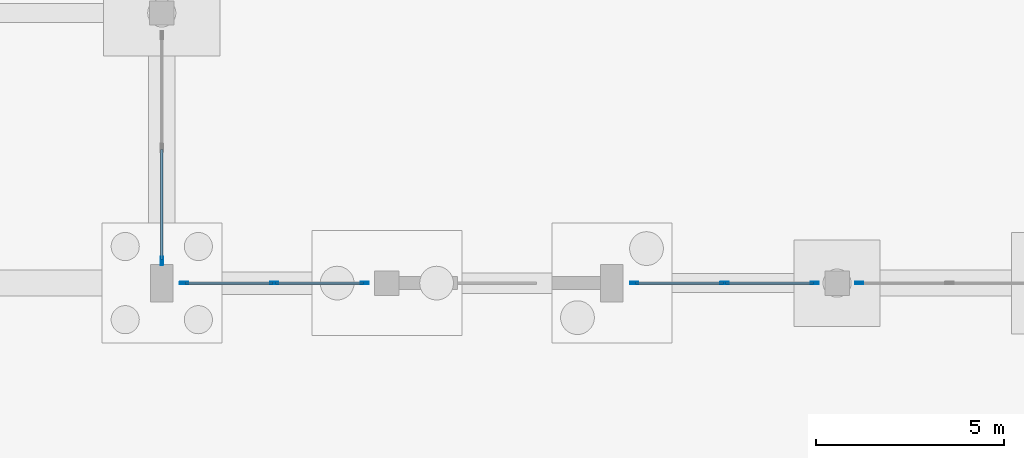
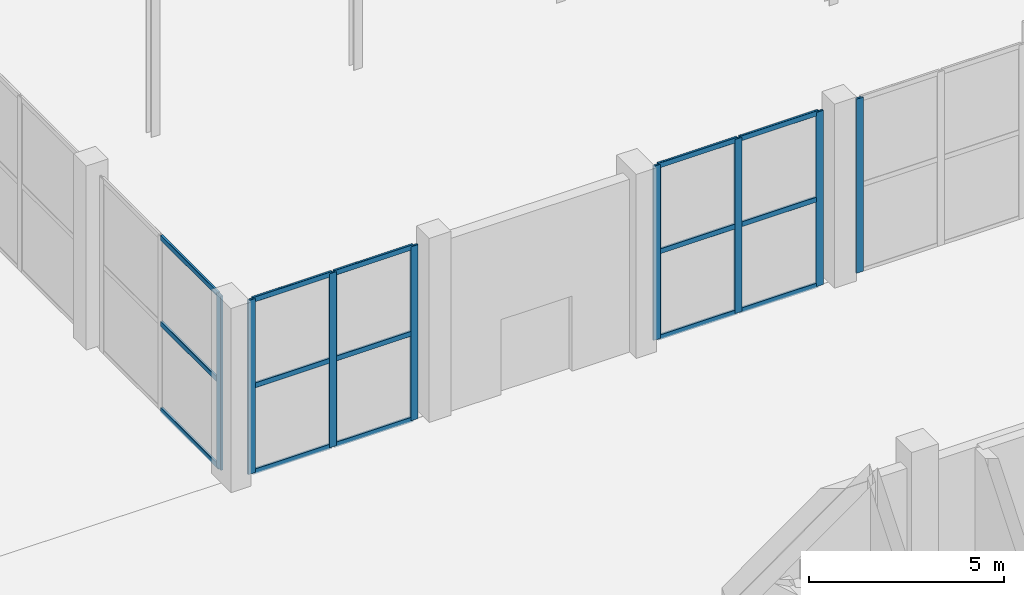
# One storey, part 49 of 103: 23 members, 4 elements without a shape of their own.
"""IFC4 building model written with IfcOpenShell, lengths in metres."""

import ifcopenshell
import ifcopenshell.guid

model = None  # the IFC model being written
_history = None  # IfcOwnerHistory: only IFC2X3 demands one
_inside = {}  # id of a spatial element -> (the spatial element, [elements in it])
_under = {}  # id of a project, library or spatial element -> (it, [spatial elements below it])
_declared = {}  # id of a project -> (the project, [libraries it declares])
_typed = {}  # id of a type object -> (the type object, [elements of that type])
_made_of = {}  # id of a material, layer set ... -> (it, [elements and type objects made of it])


def new_model(schema):
    """Start an empty IFC model of exactly this schema.

    Asked for "IFC4X3", IfcOpenShell would pick the latest addendum, in which some entities
    have other attributes; the version numbers below select the first issue.
    IFC2X3 requires an IfcOwnerHistory on every rooted entity: one is made here for all.
    """
    global model, _history
    if schema == "IFC4X3":
        model = ifcopenshell.file(schema_version=(4, 3, 0, 0))
    else:
        model = ifcopenshell.file(schema=schema)
    _inside.clear()
    _under.clear()
    _declared.clear()
    _typed.clear()
    _made_of.clear()
    _history = None
    if model.schema == "IFC2X3":
        org = make("IfcOrganization", Name="unknown")
        user = make(
            "IfcPersonAndOrganization",
            ThePerson=make("IfcPerson", FamilyName="unknown"),
            TheOrganization=org,
        )
        app = make(
            "IfcApplication",
            ApplicationDeveloper=org,
            Version="unknown",
            ApplicationFullName="unknown",
            ApplicationIdentifier="unknown",
        )
        _history = make(
            "IfcOwnerHistory",
            OwningUser=user,
            OwningApplication=app,
            ChangeAction="ADDED",
            CreationDate=0,
        )
    return model


def make(cls, **values):
    """One entity of the class cls with the attributes given. An attribute that is None is left unset."""
    return model.create_entity(
        cls, **{name: value for name, value in values.items() if value is not None}
    )


def rooted(cls, **values):
    """An entity with a GlobalId (a new one), such as an element, a storey or a relation."""
    return make(cls, GlobalId=ifcopenshell.guid.new(), OwnerHistory=_history, **values)


def si_unit(unit_type, name, prefix=None):
    """IfcSIUnit, for example si_unit("LENGTHUNIT", "METRE", prefix="MILLI")."""
    return make("IfcSIUnit", UnitType=unit_type, Prefix=prefix, Name=name)


def assignment(units):
    """IfcUnitAssignment: the units of a project."""
    return None if units is None else make("IfcUnitAssignment", Units=units)


def point(xyz):
    """IfcCartesianPoint."""
    return None if xyz is None else make("IfcCartesianPoint", Coordinates=xyz)


def direction(xyz):
    """IfcDirection."""
    return None if xyz is None else make("IfcDirection", DirectionRatios=xyz)


def frame(location, z_axis=None, x_axis=None):
    """IfcAxis2Placement3D, a coordinate frame: its origin and axes. An axis left out is left unset."""
    return make(
        "IfcAxis2Placement3D",
        Location=point(location),
        Axis=direction(z_axis),
        RefDirection=direction(x_axis),
    )


def frame_2d(location, x_axis=None):
    """IfcAxis2Placement2D, a coordinate frame in the plane: its origin and x axis."""
    return make(
        "IfcAxis2Placement2D", Location=point(location), RefDirection=direction(x_axis)
    )


def origin():
    """The frame at (0, 0, 0) with its axes left unset."""
    return frame((0.0, 0.0, 0.0))


def origin_2d():
    """The frame at (0, 0) in the plane with its x axis left unset."""
    return frame_2d((0.0, 0.0))


def place(relative_to, where):
    """IfcLocalPlacement: puts the frame where relative to a parent placement (None: the world)."""
    return make(
        "IfcLocalPlacement", PlacementRelTo=relative_to, RelativePlacement=where
    )


def context(
    kind, dimensions, precision=None, world=None, true_north=None, identifier=None
):
    """IfcGeometricRepresentationContext, for example the 3D "Model" context."""
    return make(
        "IfcGeometricRepresentationContext",
        ContextIdentifier=identifier,
        ContextType=kind,
        CoordinateSpaceDimension=dimensions,
        Precision=precision,
        WorldCoordinateSystem=world,
        TrueNorth=true_north,
    )


def subcontext(parent, identifier, kind, view, scale=None):
    """IfcGeometricRepresentationSubContext, for example "Body" below "Model"."""
    return make(
        "IfcGeometricRepresentationSubContext",
        ContextIdentifier=identifier,
        ContextType=kind,
        ParentContext=parent,
        TargetScale=scale,
        TargetView=view,
    )


def project(units=None, contexts=None):
    """IfcProject with its units and contexts."""
    return rooted(
        "IfcProject",
        Name="project",
        RepresentationContexts=contexts,
        UnitsInContext=assignment(units),
    )


def spatial(cls, under=None, at=None, **own):
    """A site, building, storey or space (cls), placed at a placement, below another one or the project."""
    s = rooted(cls, ObjectPlacement=at, **own)
    if under is not None:
        _under.setdefault(under.id(), (under, []))[1].append(s)
    return s


def profile(cls, at=None, kind="AREA", **sizes):
    """A parametric profile (cls). Its sizes go by their IFC names, for example OverallWidth=200.0."""
    return make(cls, ProfileType=kind, Position=at, **sizes)


def hollow_rectangle(**sizes):
    """IfcRectangleHollowProfileDef."""
    return profile("IfcRectangleHollowProfileDef", **sizes)


def extrude(swept, where, along, depth):
    """IfcExtrudedAreaSolid: the profile swept, set in the frame where, extruded along a direction by depth."""
    return make(
        "IfcExtrudedAreaSolid",
        SweptArea=swept,
        Position=where,
        ExtrudedDirection=direction(along),
        Depth=depth,
    )


def shape(context_of_items, identifier, shape_type, items):
    """IfcShapeRepresentation: the items that make up one representation, for example the "Body"."""
    return make(
        "IfcShapeRepresentation",
        ContextOfItems=context_of_items,
        RepresentationIdentifier=identifier,
        RepresentationType=shape_type,
        Items=items,
    )


def material(Name=None, Category=None):
    """IfcMaterial."""
    return make("IfcMaterial", Name=Name, Category=Category)


def layer(
    of_material, thickness, ventilated=None, Name=None, Category=None, Priority=None
):
    """IfcMaterialLayer: one layer of a wall or slab, of a material (None: an air gap)."""
    return make(
        "IfcMaterialLayer",
        Material=of_material,
        LayerThickness=thickness,
        IsVentilated=ventilated,
        Name=Name,
        Category=Category,
        Priority=Priority,
    )


def layer_set(layers, Name=None):
    """IfcMaterialLayerSet."""
    return make("IfcMaterialLayerSet", MaterialLayers=layers, LayerSetName=Name)


def material_profile(
    of_material, cross_section, Name=None, Category=None, Priority=None
):
    """IfcMaterialProfile: a cross section and its material."""
    return make(
        "IfcMaterialProfile",
        Name=Name,
        Material=of_material,
        Profile=cross_section,
        Priority=Priority,
        Category=Category,
    )


def profile_set(profiles, Name=None, composite=None):
    """IfcMaterialProfileSet."""
    return make(
        "IfcMaterialProfileSet",
        Name=Name,
        MaterialProfiles=profiles,
        CompositeProfile=composite,
    )


def made_of(thing, what):
    """Note that an element or type object is made of a material, layer set ...; save() writes the relation."""
    if what is not None:
        _made_of.setdefault(what.id(), (what, []))[1].append(thing)
    return thing


def type_object(cls, material=None, **own):
    """A type object (cls), such as IfcWallType, which elements share."""
    return made_of(rooted(cls, **own), material)


def element(
    cls,
    number,
    at=None,
    inside=None,
    cuts=None,
    type_object=None,
    material=None,
    context=None,
    identifier="Body",
    shape_type=None,
    held_by="IfcProductDefinitionShape",
    body=None,
    shapes=None,
    **own,
):
    """One element of the class cls, such as IfcWall. Its Tag is "e" and its number.

    at: its placement. inside: the storey or other place that contains it. cuts: it is an
    opening in that element (IfcRelVoidsElement). A single representation is given by context,
    identifier, shape_type and body (its items); several are given by shapes. held_by: the class
    of the entity that holds the representations. save() writes the other relations.
    """
    e = rooted(cls, Tag="e%d" % number, ObjectPlacement=at, **own)
    if body is not None:
        shapes = [shape(context, identifier, shape_type, body)]
    if shapes is not None:
        e.Representation = make(held_by, Representations=shapes)
    if inside is not None:
        _inside.setdefault(inside.id(), (inside, []))[1].append(e)
    if cuts is not None:
        rooted(
            "IfcRelVoidsElement", RelatingBuildingElement=cuts, RelatedOpeningElement=e
        )
    if type_object is not None:
        _typed.setdefault(type_object.id(), (type_object, []))[1].append(e)
    return made_of(e, material)


def aggregate(whole, parts):
    """IfcRelAggregates: a whole, such as a stair, and the parts it consists of."""
    return rooted("IfcRelAggregates", RelatingObject=whole, RelatedObjects=parts)


def save(model, path):
    """Write the relations noted so far, then the file.

    IfcRelAggregates (storeys below a building ...), IfcRelContainedInSpatialStructure (elements
    in a storey), IfcRelDefinesByType, IfcRelAssociatesMaterial and IfcRelDeclares: one each for
    every whole, place, type object, material and project.
    """
    for whole, parts in _under.values():
        aggregate(whole, parts)
    for where, things in _inside.values():
        rooted(
            "IfcRelContainedInSpatialStructure",
            RelatedElements=things,
            RelatingStructure=where,
        )
    for kind, things in _typed.values():
        rooted("IfcRelDefinesByType", RelatedObjects=things, RelatingType=kind)
    for what, things in _made_of.values():
        rooted("IfcRelAssociatesMaterial", RelatedObjects=things, RelatingMaterial=what)
    for by, libraries in _declared.values():
        rooted("IfcRelDeclares", RelatingContext=by, RelatedDefinitions=libraries)
    model.write(path)


model = new_model("IFC4")

# Units and contexts
model_context = context("Model", 3, precision=1e-05, world=origin(), true_north=direction((0.0, 1.0)))
body_context = subcontext(model_context, "Body", "Model", "MODEL_VIEW")
ifc_project = project(units=[si_unit("LENGTHUNIT", "METRE"), si_unit("AREAUNIT", "SQUARE_METRE"), si_unit("VOLUMEUNIT", "CUBIC_METRE"), si_unit("PLANEANGLEUNIT", "RADIAN"), si_unit("MASSUNIT", "GRAM", prefix="KILO")], contexts=[model_context])

# Site, building, storey
site_placement = place(None, origin())
site = spatial("IfcSite", under=ifc_project, at=site_placement, CompositionType="ELEMENT")
building_placement = place(site_placement, origin())
building = spatial("IfcBuilding", under=site, at=building_placement, Name="Dunvalen Ferry Terminal", CompositionType="ELEMENT")
storey_placement = place(building_placement, origin())
storey = spatial("IfcBuildingStorey", under=building, at=storey_placement, Name="L00", CompositionType="ELEMENT", Elevation=0.0)

# Curtain wall, members
ifc_material_1 = material(Name="Anodised marine aluminium and solar-control glazing", Category="aluminium")
ifc_layer_1 = layer(ifc_material_1, 0.219970703125, Name="Anodised marine aluminium and solar-control glazing")
ifc_layer_set_1 = layer_set([ifc_layer_1], Name="Anodised marine aluminium and solar-control glazing")
curtain_wall_type_1 = type_object("IfcCurtainWallType", Name="ENV-CW-SYS-01", PredefinedType="NOTDEFINED", material=ifc_layer_set_1)
curtain_wall_1_placement = place(storey_placement, origin())
curtain_wall_1 = element("IfcCurtainWall", 1, at=curtain_wall_1_placement, inside=storey, type_object=curtain_wall_type_1, Name="L00 Curtain Wall CW-V2S-L00-01", PredefinedType="NOTDEFINED")
ifc_material_2 = material(Name="Anodised marine aluminium EN AW-6063 T6", Category="aluminium")
ifc_material_profile_1 = material_profile(ifc_material_2, hollow_rectangle(XDim=0.06494140625, YDim=0.219970703125, WallThickness=0.00390625, InnerFilletRadius=0.00390625, OuterFilletRadius=0.008056640625, at=origin_2d()), Name="Anodised marine aluminium EN AW-6063 T6")
ifc_profile_set_1 = profile_set([ifc_material_profile_1], Name="Anodised marine aluminium EN AW-6063 T6")
member_type_1 = type_object("IfcMemberType", Name="ENV-CW-MUL-1", PredefinedType="MULLION", material=ifc_profile_set_1)
member_1_placement = place(storey_placement, frame((108.592529296875, 57.60009765625, 0.0), z_axis=(0.0, 0.0, 1.0), x_axis=(0.0, 1.0, 0.0)))
member_1 = element("IfcMember", 2, at=member_1_placement, type_object=member_type_1, Name="CW-01 mullion 1", PredefinedType="MULLION", context=body_context, shape_type="SweptSolid", body=[
    extrude(hollow_rectangle(XDim=0.06494140625, YDim=0.219970703125, WallThickness=0.00390625, InnerFilletRadius=0.00390625, OuterFilletRadius=0.008056640625, at=origin_2d()), origin(), (0.0, 0.0, 1.0), 5.449951171875),
])
member_2_placement = place(storey_placement, frame((111.0, 57.60009765625, 0.0), z_axis=(0.0, 0.0, 1.0), x_axis=(0.0, 1.0, 0.0)))
member_2 = element("IfcMember", 3, at=member_2_placement, type_object=member_type_1, Name="CW-01 mullion 2", PredefinedType="MULLION", context=body_context, shape_type="SweptSolid", body=[
    extrude(hollow_rectangle(XDim=0.06494140625, YDim=0.219970703125, WallThickness=0.00390625, InnerFilletRadius=0.00390625, OuterFilletRadius=0.008056640625, at=origin_2d()), origin(), (0.0, 0.0, 1.0), 5.449951171875),
])
member_3_placement = place(storey_placement, frame((113.407470703125, 57.60009765625, 0.0), z_axis=(0.0, 0.0, 1.0), x_axis=(0.0, 1.0, 0.0)))
member_3 = element("IfcMember", 4, at=member_3_placement, type_object=member_type_1, Name="CW-01 mullion 3", PredefinedType="MULLION", context=body_context, shape_type="SweptSolid", body=[
    extrude(hollow_rectangle(XDim=0.06494140625, YDim=0.219970703125, WallThickness=0.00390625, InnerFilletRadius=0.00390625, OuterFilletRadius=0.008056640625, at=origin_2d()), origin(), (0.0, 0.0, 1.0), 5.449951171875),
])

curtain_wall_2_placement = place(storey_placement, origin())
curtain_wall_2 = element("IfcCurtainWall", 5, at=curtain_wall_2_placement, inside=storey, type_object=curtain_wall_type_1, Name="L00 Curtain Wall CW-V2S-L00-03", PredefinedType="NOTDEFINED")
member_4_placement = place(storey_placement, frame((120.592529296875, 57.60009765625, 0.0), z_axis=(0.0, 0.0, 1.0), x_axis=(0.0, 1.0, 0.0)))
member_4 = element("IfcMember", 6, at=member_4_placement, type_object=member_type_1, Name="CW-01 mullion 1", PredefinedType="MULLION", context=body_context, shape_type="SweptSolid", body=[
    extrude(hollow_rectangle(XDim=0.06494140625, YDim=0.219970703125, WallThickness=0.00390625, InnerFilletRadius=0.00390625, OuterFilletRadius=0.008056640625, at=origin_2d()), origin(), (0.0, 0.0, 1.0), 5.449951171875),
])
member_5_placement = place(storey_placement, frame((123.0, 57.60009765625, 0.0), z_axis=(0.0, 0.0, 1.0), x_axis=(0.0, 1.0, 0.0)))
member_5 = element("IfcMember", 7, at=member_5_placement, type_object=member_type_1, Name="CW-01 mullion 2", PredefinedType="MULLION", context=body_context, shape_type="SweptSolid", body=[
    extrude(hollow_rectangle(XDim=0.06494140625, YDim=0.219970703125, WallThickness=0.00390625, InnerFilletRadius=0.00390625, OuterFilletRadius=0.008056640625, at=origin_2d()), origin(), (0.0, 0.0, 1.0), 5.449951171875),
])
member_6_placement = place(storey_placement, frame((125.407470703125, 57.60009765625, 0.0), z_axis=(0.0, 0.0, 1.0), x_axis=(0.0, 1.0, 0.0)))
member_6 = element("IfcMember", 8, at=member_6_placement, type_object=member_type_1, Name="CW-01 mullion 3", PredefinedType="MULLION", context=body_context, shape_type="SweptSolid", body=[
    extrude(hollow_rectangle(XDim=0.06494140625, YDim=0.219970703125, WallThickness=0.00390625, InnerFilletRadius=0.00390625, OuterFilletRadius=0.008056640625, at=origin_2d()), origin(), (0.0, 0.0, 1.0), 5.449951171875),
])

# Curtain wall, member
curtain_wall_3_placement = place(storey_placement, origin())
curtain_wall_3 = element("IfcCurtainWall", 9, at=curtain_wall_3_placement, inside=storey, type_object=curtain_wall_type_1, Name="L00 Curtain Wall CW-V2S-L00-04", PredefinedType="NOTDEFINED")
member_7_placement = place(storey_placement, frame((126.592529296875, 57.60009765625, 0.0), z_axis=(0.0, 0.0, 1.0), x_axis=(0.0, 1.0, 0.0)))
member_7 = element("IfcMember", 10, at=member_7_placement, type_object=member_type_1, Name="CW-01 mullion 1", PredefinedType="MULLION", context=body_context, shape_type="SweptSolid", body=[
    extrude(hollow_rectangle(XDim=0.06494140625, YDim=0.219970703125, WallThickness=0.00390625, InnerFilletRadius=0.00390625, OuterFilletRadius=0.008056640625, at=origin_2d()), origin(), (0.0, 0.0, 1.0), 5.449951171875),
])
aggregate(curtain_wall_3, [member_7])

ifc_layer_2 = layer(ifc_material_1, 0.219970703125, Name="Anodised marine aluminium and solar-control glazing")
ifc_layer_set_2 = layer_set([ifc_layer_2], Name="Anodised marine aluminium and solar-control glazing")
curtain_wall_type_2 = type_object("IfcCurtainWallType", Name="ENV-CW-SYS-03", PredefinedType="NOTDEFINED", material=ifc_layer_set_2)
curtain_wall_4_placement = place(storey_placement, origin())
curtain_wall_4 = element("IfcCurtainWall", 11, at=curtain_wall_4_placement, inside=storey, type_object=curtain_wall_type_2, Name="L00 Curtain Wall CW-V2W-L00-1", PredefinedType="NOTDEFINED")
member_8_placement = place(storey_placement, frame((108.0, 58.1923828125, 0.0), z_axis=(0.0, 0.0, 1.0), x_axis=(-1.0, 0.0, 0.0)))
member_8 = element("IfcMember", 12, at=member_8_placement, type_object=member_type_1, Name="CW-03 mullion 1", PredefinedType="MULLION", context=body_context, shape_type="SweptSolid", body=[
    extrude(hollow_rectangle(XDim=0.06494140625, YDim=0.219970703125, WallThickness=0.00390625, InnerFilletRadius=0.00390625, OuterFilletRadius=0.008056640625, at=origin_2d()), origin(), (0.0, 0.0, 1.0), 5.449951171875),
])

# Member
ifc_material_profile_2 = material_profile(ifc_material_2, hollow_rectangle(XDim=0.06494140625, YDim=0.159912109375, WallThickness=0.00341796875, InnerFilletRadius=0.00341796875, OuterFilletRadius=0.007080078125, at=origin_2d()), Name="Anodised marine aluminium EN AW-6063 T6")
ifc_profile_set_2 = profile_set([ifc_material_profile_2], Name="Anodised marine aluminium EN AW-6063 T6")
member_type_2 = type_object("IfcMemberType", Name="ENV-CW-TRN-1", PredefinedType="USERDEFINED", material=ifc_profile_set_2)
member_9_placement = place(storey_placement, frame((108.625, 57.60009765625, 0.032470703125), z_axis=(1.0, 0.0, 0.0), x_axis=(0.0, 1.0, 0.0)))
member_9 = element("IfcMember", 13, at=member_9_placement, type_object=member_type_2, Name="CW-01 transom 1.1", ObjectType="TRANSOM", PredefinedType="USERDEFINED", context=body_context, shape_type="SweptSolid", body=[
    extrude(hollow_rectangle(XDim=0.06494140625, YDim=0.159912109375, WallThickness=0.00341796875, InnerFilletRadius=0.00341796875, OuterFilletRadius=0.007080078125, at=origin_2d()), origin(), (0.0, 0.0, 1.0), 2.342529296875),
])

member_10_placement = place(storey_placement, frame((108.625, 57.60009765625, 2.72509765625), z_axis=(1.0, 0.0, 0.0), x_axis=(0.0, 1.0, 0.0)))
member_10 = element("IfcMember", 14, at=member_10_placement, type_object=member_type_2, Name="CW-01 transom 1.2", ObjectType="TRANSOM", PredefinedType="USERDEFINED", context=body_context, shape_type="SweptSolid", body=[
    extrude(hollow_rectangle(XDim=0.06494140625, YDim=0.159912109375, WallThickness=0.00341796875, InnerFilletRadius=0.00341796875, OuterFilletRadius=0.007080078125, at=origin_2d()), origin(), (0.0, 0.0, 1.0), 2.342529296875),
])

member_11_placement = place(storey_placement, frame((108.625, 57.60009765625, 5.41748046875), z_axis=(1.0, 0.0, 0.0), x_axis=(0.0, 1.0, 0.0)))
member_11 = element("IfcMember", 15, at=member_11_placement, type_object=member_type_2, Name="CW-01 transom 1.3", ObjectType="TRANSOM", PredefinedType="USERDEFINED", context=body_context, shape_type="SweptSolid", body=[
    extrude(hollow_rectangle(XDim=0.06494140625, YDim=0.159912109375, WallThickness=0.00341796875, InnerFilletRadius=0.00341796875, OuterFilletRadius=0.007080078125, at=origin_2d()), origin(), (0.0, 0.0, 1.0), 2.342529296875),
])

member_12_placement = place(storey_placement, frame((111.032470703125, 57.60009765625, 0.032470703125), z_axis=(1.0, 0.0, 0.0), x_axis=(0.0, 1.0, 0.0)))
member_12 = element("IfcMember", 16, at=member_12_placement, type_object=member_type_2, Name="CW-01 transom 2.1", ObjectType="TRANSOM", PredefinedType="USERDEFINED", context=body_context, shape_type="SweptSolid", body=[
    extrude(hollow_rectangle(XDim=0.06494140625, YDim=0.159912109375, WallThickness=0.00341796875, InnerFilletRadius=0.00341796875, OuterFilletRadius=0.007080078125, at=origin_2d()), origin(), (0.0, 0.0, 1.0), 2.342529296875),
])

member_13_placement = place(storey_placement, frame((111.032470703125, 57.60009765625, 2.72509765625), z_axis=(1.0, 0.0, 0.0), x_axis=(0.0, 1.0, 0.0)))
member_13 = element("IfcMember", 17, at=member_13_placement, type_object=member_type_2, Name="CW-01 transom 2.2", ObjectType="TRANSOM", PredefinedType="USERDEFINED", context=body_context, shape_type="SweptSolid", body=[
    extrude(hollow_rectangle(XDim=0.06494140625, YDim=0.159912109375, WallThickness=0.00341796875, InnerFilletRadius=0.00341796875, OuterFilletRadius=0.007080078125, at=origin_2d()), origin(), (0.0, 0.0, 1.0), 2.342529296875),
])

member_14_placement = place(storey_placement, frame((111.032470703125, 57.60009765625, 5.41748046875), z_axis=(1.0, 0.0, 0.0), x_axis=(0.0, 1.0, 0.0)))
member_14 = element("IfcMember", 18, at=member_14_placement, type_object=member_type_2, Name="CW-01 transom 2.3", ObjectType="TRANSOM", PredefinedType="USERDEFINED", context=body_context, shape_type="SweptSolid", body=[
    extrude(hollow_rectangle(XDim=0.06494140625, YDim=0.159912109375, WallThickness=0.00341796875, InnerFilletRadius=0.00341796875, OuterFilletRadius=0.007080078125, at=origin_2d()), origin(), (0.0, 0.0, 1.0), 2.342529296875),
])

aggregate(curtain_wall_1, [member_1, member_2, member_3, member_9, member_10, member_11, member_12, member_13, member_14])

member_15_placement = place(storey_placement, frame((120.625, 57.60009765625, 0.032470703125), z_axis=(1.0, 0.0, 0.0), x_axis=(0.0, 1.0, 0.0)))
member_15 = element("IfcMember", 19, at=member_15_placement, type_object=member_type_2, Name="CW-01 transom 1.1", ObjectType="TRANSOM", PredefinedType="USERDEFINED", context=body_context, shape_type="SweptSolid", body=[
    extrude(hollow_rectangle(XDim=0.06494140625, YDim=0.159912109375, WallThickness=0.00341796875, InnerFilletRadius=0.00341796875, OuterFilletRadius=0.007080078125, at=origin_2d()), origin(), (0.0, 0.0, 1.0), 2.342529296875),
])

member_16_placement = place(storey_placement, frame((120.625, 57.60009765625, 2.72509765625), z_axis=(1.0, 0.0, 0.0), x_axis=(0.0, 1.0, 0.0)))
member_16 = element("IfcMember", 20, at=member_16_placement, type_object=member_type_2, Name="CW-01 transom 1.2", ObjectType="TRANSOM", PredefinedType="USERDEFINED", context=body_context, shape_type="SweptSolid", body=[
    extrude(hollow_rectangle(XDim=0.06494140625, YDim=0.159912109375, WallThickness=0.00341796875, InnerFilletRadius=0.00341796875, OuterFilletRadius=0.007080078125, at=origin_2d()), origin(), (0.0, 0.0, 1.0), 2.342529296875),
])

member_17_placement = place(storey_placement, frame((120.625, 57.60009765625, 5.41748046875), z_axis=(1.0, 0.0, 0.0), x_axis=(0.0, 1.0, 0.0)))
member_17 = element("IfcMember", 21, at=member_17_placement, type_object=member_type_2, Name="CW-01 transom 1.3", ObjectType="TRANSOM", PredefinedType="USERDEFINED", context=body_context, shape_type="SweptSolid", body=[
    extrude(hollow_rectangle(XDim=0.06494140625, YDim=0.159912109375, WallThickness=0.00341796875, InnerFilletRadius=0.00341796875, OuterFilletRadius=0.007080078125, at=origin_2d()), origin(), (0.0, 0.0, 1.0), 2.342529296875),
])

member_18_placement = place(storey_placement, frame((123.032470703125, 57.60009765625, 0.032470703125), z_axis=(1.0, 0.0, 0.0), x_axis=(0.0, 1.0, 0.0)))
member_18 = element("IfcMember", 22, at=member_18_placement, type_object=member_type_2, Name="CW-01 transom 2.1", ObjectType="TRANSOM", PredefinedType="USERDEFINED", context=body_context, shape_type="SweptSolid", body=[
    extrude(hollow_rectangle(XDim=0.06494140625, YDim=0.159912109375, WallThickness=0.00341796875, InnerFilletRadius=0.00341796875, OuterFilletRadius=0.007080078125, at=origin_2d()), origin(), (0.0, 0.0, 1.0), 2.342529296875),
])

member_19_placement = place(storey_placement, frame((123.032470703125, 57.60009765625, 2.72509765625), z_axis=(1.0, 0.0, 0.0), x_axis=(0.0, 1.0, 0.0)))
member_19 = element("IfcMember", 23, at=member_19_placement, type_object=member_type_2, Name="CW-01 transom 2.2", ObjectType="TRANSOM", PredefinedType="USERDEFINED", context=body_context, shape_type="SweptSolid", body=[
    extrude(hollow_rectangle(XDim=0.06494140625, YDim=0.159912109375, WallThickness=0.00341796875, InnerFilletRadius=0.00341796875, OuterFilletRadius=0.007080078125, at=origin_2d()), origin(), (0.0, 0.0, 1.0), 2.342529296875),
])

member_20_placement = place(storey_placement, frame((123.032470703125, 57.60009765625, 5.41748046875), z_axis=(1.0, 0.0, 0.0), x_axis=(0.0, 1.0, 0.0)))
member_20 = element("IfcMember", 24, at=member_20_placement, type_object=member_type_2, Name="CW-01 transom 2.3", ObjectType="TRANSOM", PredefinedType="USERDEFINED", context=body_context, shape_type="SweptSolid", body=[
    extrude(hollow_rectangle(XDim=0.06494140625, YDim=0.159912109375, WallThickness=0.00341796875, InnerFilletRadius=0.00341796875, OuterFilletRadius=0.007080078125, at=origin_2d()), origin(), (0.0, 0.0, 1.0), 2.342529296875),
])

aggregate(curtain_wall_2, [member_4, member_5, member_6, member_15, member_16, member_17, member_18, member_19, member_20])

member_21_placement = place(storey_placement, frame((108.0, 58.22509765625, 0.032470703125), z_axis=(0.0, 1.0, 0.0), x_axis=(-1.0, 0.0, 0.0)))
member_21 = element("IfcMember", 25, at=member_21_placement, type_object=member_type_2, Name="CW-03 transom 1.1", ObjectType="TRANSOM", PredefinedType="USERDEFINED", context=body_context, shape_type="SweptSolid", body=[
    extrude(hollow_rectangle(XDim=0.06494140625, YDim=0.159912109375, WallThickness=0.00341796875, InnerFilletRadius=0.00341796875, OuterFilletRadius=0.007080078125, at=origin_2d()), origin(), (0.0, 0.0, 1.0), 2.9423828125),
])

member_22_placement = place(storey_placement, frame((108.0, 58.22509765625, 2.72509765625), z_axis=(0.0, 1.0, 0.0), x_axis=(-1.0, 0.0, 0.0)))
member_22 = element("IfcMember", 26, at=member_22_placement, type_object=member_type_2, Name="CW-03 transom 1.2", ObjectType="TRANSOM", PredefinedType="USERDEFINED", context=body_context, shape_type="SweptSolid", body=[
    extrude(hollow_rectangle(XDim=0.06494140625, YDim=0.159912109375, WallThickness=0.00341796875, InnerFilletRadius=0.00341796875, OuterFilletRadius=0.007080078125, at=origin_2d()), origin(), (0.0, 0.0, 1.0), 2.9423828125),
])

member_23_placement = place(storey_placement, frame((108.0, 58.22509765625, 5.41748046875), z_axis=(0.0, 1.0, 0.0), x_axis=(-1.0, 0.0, 0.0)))
member_23 = element("IfcMember", 27, at=member_23_placement, type_object=member_type_2, Name="CW-03 transom 1.3", ObjectType="TRANSOM", PredefinedType="USERDEFINED", context=body_context, shape_type="SweptSolid", body=[
    extrude(hollow_rectangle(XDim=0.06494140625, YDim=0.159912109375, WallThickness=0.00341796875, InnerFilletRadius=0.00341796875, OuterFilletRadius=0.007080078125, at=origin_2d()), origin(), (0.0, 0.0, 1.0), 2.9423828125),
])

aggregate(curtain_wall_4, [member_8, member_21, member_22, member_23])

save(model, "model.ifc")
